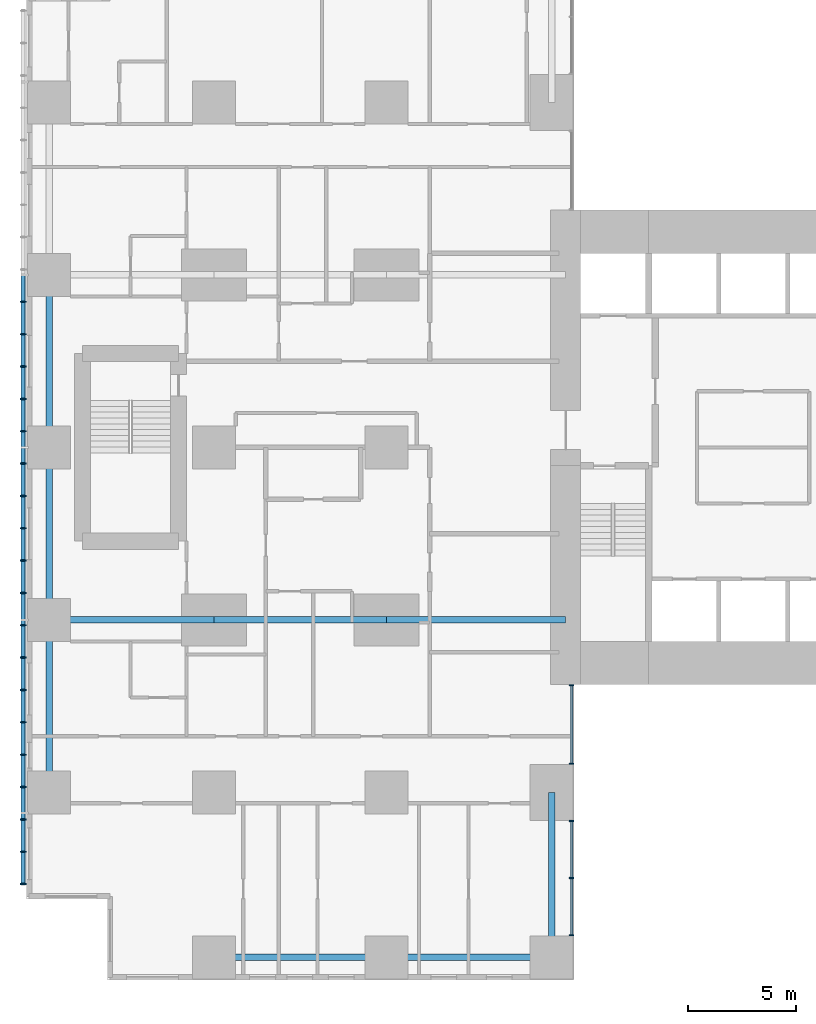
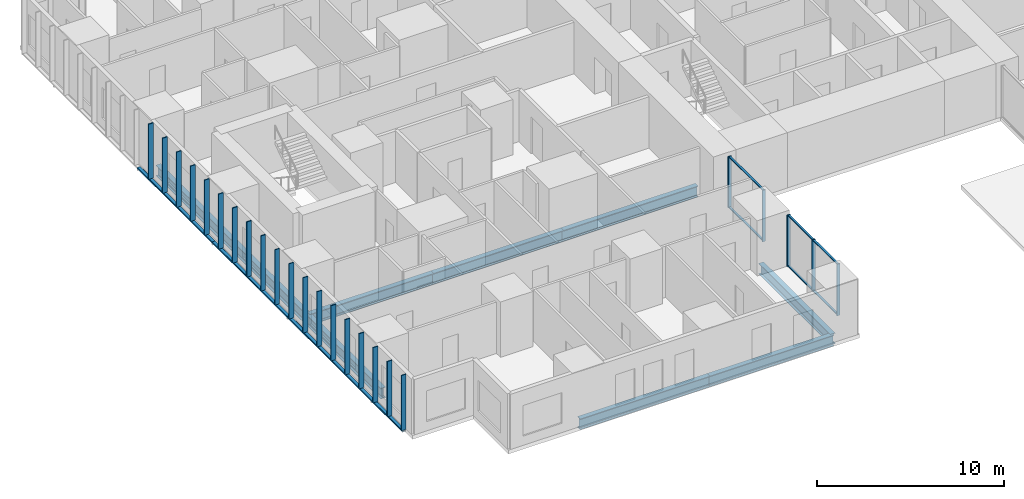
# One storey, part 2 of 22: 33 members, 9 beams, 2 elements without a shape of their own.
"""IFC4 building model written with IfcOpenShell, lengths in metres."""

import ifcopenshell
import ifcopenshell.guid

model = None  # the IFC model being written
_history = None  # IfcOwnerHistory: only IFC2X3 demands one
_inside = {}  # id of a spatial element -> (the spatial element, [elements in it])
_under = {}  # id of a project, library or spatial element -> (it, [spatial elements below it])
_declared = {}  # id of a project -> (the project, [libraries it declares])
_typed = {}  # id of a type object -> (the type object, [elements of that type])
_made_of = {}  # id of a material, layer set ... -> (it, [elements and type objects made of it])


def new_model(schema):
    """Start an empty IFC model of exactly this schema.

    Asked for "IFC4X3", IfcOpenShell would pick the latest addendum, in which some entities
    have other attributes; the version numbers below select the first issue.
    IFC2X3 requires an IfcOwnerHistory on every rooted entity: one is made here for all.
    """
    global model, _history
    if schema == "IFC4X3":
        model = ifcopenshell.file(schema_version=(4, 3, 0, 0))
    else:
        model = ifcopenshell.file(schema=schema)
    _inside.clear()
    _under.clear()
    _declared.clear()
    _typed.clear()
    _made_of.clear()
    _history = None
    if model.schema == "IFC2X3":
        org = make("IfcOrganization", Name="unknown")
        user = make(
            "IfcPersonAndOrganization",
            ThePerson=make("IfcPerson", FamilyName="unknown"),
            TheOrganization=org,
        )
        app = make(
            "IfcApplication",
            ApplicationDeveloper=org,
            Version="unknown",
            ApplicationFullName="unknown",
            ApplicationIdentifier="unknown",
        )
        _history = make(
            "IfcOwnerHistory",
            OwningUser=user,
            OwningApplication=app,
            ChangeAction="ADDED",
            CreationDate=0,
        )
    return model


def make(cls, **values):
    """One entity of the class cls with the attributes given. An attribute that is None is left unset."""
    return model.create_entity(
        cls, **{name: value for name, value in values.items() if value is not None}
    )


def rooted(cls, **values):
    """An entity with a GlobalId (a new one), such as an element, a storey or a relation."""
    return make(cls, GlobalId=ifcopenshell.guid.new(), OwnerHistory=_history, **values)


def si_unit(unit_type, name, prefix=None):
    """IfcSIUnit, for example si_unit("LENGTHUNIT", "METRE", prefix="MILLI")."""
    return make("IfcSIUnit", UnitType=unit_type, Prefix=prefix, Name=name)


def assignment(units):
    """IfcUnitAssignment: the units of a project."""
    return None if units is None else make("IfcUnitAssignment", Units=units)


def point(xyz):
    """IfcCartesianPoint."""
    return None if xyz is None else make("IfcCartesianPoint", Coordinates=xyz)


def direction(xyz):
    """IfcDirection."""
    return None if xyz is None else make("IfcDirection", DirectionRatios=xyz)


def frame(location, z_axis=None, x_axis=None):
    """IfcAxis2Placement3D, a coordinate frame: its origin and axes. An axis left out is left unset."""
    return make(
        "IfcAxis2Placement3D",
        Location=point(location),
        Axis=direction(z_axis),
        RefDirection=direction(x_axis),
    )


def frame_2d(location, x_axis=None):
    """IfcAxis2Placement2D, a coordinate frame in the plane: its origin and x axis."""
    return make(
        "IfcAxis2Placement2D", Location=point(location), RefDirection=direction(x_axis)
    )


def origin():
    """The frame at (0, 0, 0) with its axes left unset."""
    return frame((0.0, 0.0, 0.0))


def origin_2d():
    """The frame at (0, 0) in the plane with its x axis left unset."""
    return frame_2d((0.0, 0.0))


def place(relative_to, where):
    """IfcLocalPlacement: puts the frame where relative to a parent placement (None: the world)."""
    return make(
        "IfcLocalPlacement", PlacementRelTo=relative_to, RelativePlacement=where
    )


def context(
    kind, dimensions, precision=None, world=None, true_north=None, identifier=None
):
    """IfcGeometricRepresentationContext, for example the 3D "Model" context."""
    return make(
        "IfcGeometricRepresentationContext",
        ContextIdentifier=identifier,
        ContextType=kind,
        CoordinateSpaceDimension=dimensions,
        Precision=precision,
        WorldCoordinateSystem=world,
        TrueNorth=true_north,
    )


def subcontext(parent, identifier, kind, view, scale=None):
    """IfcGeometricRepresentationSubContext, for example "Body" below "Model"."""
    return make(
        "IfcGeometricRepresentationSubContext",
        ContextIdentifier=identifier,
        ContextType=kind,
        ParentContext=parent,
        TargetScale=scale,
        TargetView=view,
    )


def project(units=None, contexts=None):
    """IfcProject with its units and contexts."""
    return rooted(
        "IfcProject",
        Name="project",
        RepresentationContexts=contexts,
        UnitsInContext=assignment(units),
    )


def spatial(cls, under=None, at=None, **own):
    """A site, building, storey or space (cls), placed at a placement, below another one or the project."""
    s = rooted(cls, ObjectPlacement=at, **own)
    if under is not None:
        _under.setdefault(under.id(), (under, []))[1].append(s)
    return s


def profile(cls, at=None, kind="AREA", **sizes):
    """A parametric profile (cls). Its sizes go by their IFC names, for example OverallWidth=200.0."""
    return make(cls, ProfileType=kind, Position=at, **sizes)


def rectangle(**sizes):
    """IfcRectangleProfileDef."""
    return profile("IfcRectangleProfileDef", **sizes)


def hollow_rectangle(**sizes):
    """IfcRectangleHollowProfileDef."""
    return profile("IfcRectangleHollowProfileDef", **sizes)


def i_section(**sizes):
    """IfcIShapeProfileDef."""
    return profile("IfcIShapeProfileDef", **sizes)


def extrude(swept, where, along, depth):
    """IfcExtrudedAreaSolid: the profile swept, set in the frame where, extruded along a direction by depth."""
    return make(
        "IfcExtrudedAreaSolid",
        SweptArea=swept,
        Position=where,
        ExtrudedDirection=direction(along),
        Depth=depth,
    )


def shape(context_of_items, identifier, shape_type, items):
    """IfcShapeRepresentation: the items that make up one representation, for example the "Body"."""
    return make(
        "IfcShapeRepresentation",
        ContextOfItems=context_of_items,
        RepresentationIdentifier=identifier,
        RepresentationType=shape_type,
        Items=items,
    )


def material(Name=None, Category=None):
    """IfcMaterial."""
    return make("IfcMaterial", Name=Name, Category=Category)


def layer(
    of_material, thickness, ventilated=None, Name=None, Category=None, Priority=None
):
    """IfcMaterialLayer: one layer of a wall or slab, of a material (None: an air gap)."""
    return make(
        "IfcMaterialLayer",
        Material=of_material,
        LayerThickness=thickness,
        IsVentilated=ventilated,
        Name=Name,
        Category=Category,
        Priority=Priority,
    )


def layer_set(layers, Name=None):
    """IfcMaterialLayerSet."""
    return make("IfcMaterialLayerSet", MaterialLayers=layers, LayerSetName=Name)


def material_profile(
    of_material, cross_section, Name=None, Category=None, Priority=None
):
    """IfcMaterialProfile: a cross section and its material."""
    return make(
        "IfcMaterialProfile",
        Name=Name,
        Material=of_material,
        Profile=cross_section,
        Priority=Priority,
        Category=Category,
    )


def profile_set(profiles, Name=None, composite=None):
    """IfcMaterialProfileSet."""
    return make(
        "IfcMaterialProfileSet",
        Name=Name,
        MaterialProfiles=profiles,
        CompositeProfile=composite,
    )


def made_of(thing, what):
    """Note that an element or type object is made of a material, layer set ...; save() writes the relation."""
    if what is not None:
        _made_of.setdefault(what.id(), (what, []))[1].append(thing)
    return thing


def type_object(cls, material=None, **own):
    """A type object (cls), such as IfcWallType, which elements share."""
    return made_of(rooted(cls, **own), material)


def element(
    cls,
    number,
    at=None,
    inside=None,
    cuts=None,
    type_object=None,
    material=None,
    context=None,
    identifier="Body",
    shape_type=None,
    held_by="IfcProductDefinitionShape",
    body=None,
    shapes=None,
    **own,
):
    """One element of the class cls, such as IfcWall. Its Tag is "e" and its number.

    at: its placement. inside: the storey or other place that contains it. cuts: it is an
    opening in that element (IfcRelVoidsElement). A single representation is given by context,
    identifier, shape_type and body (its items); several are given by shapes. held_by: the class
    of the entity that holds the representations. save() writes the other relations.
    """
    e = rooted(cls, Tag="e%d" % number, ObjectPlacement=at, **own)
    if body is not None:
        shapes = [shape(context, identifier, shape_type, body)]
    if shapes is not None:
        e.Representation = make(held_by, Representations=shapes)
    if inside is not None:
        _inside.setdefault(inside.id(), (inside, []))[1].append(e)
    if cuts is not None:
        rooted(
            "IfcRelVoidsElement", RelatingBuildingElement=cuts, RelatedOpeningElement=e
        )
    if type_object is not None:
        _typed.setdefault(type_object.id(), (type_object, []))[1].append(e)
    return made_of(e, material)


def aggregate(whole, parts):
    """IfcRelAggregates: a whole, such as a stair, and the parts it consists of."""
    return rooted("IfcRelAggregates", RelatingObject=whole, RelatedObjects=parts)


def save(model, path):
    """Write the relations noted so far, then the file.

    IfcRelAggregates (storeys below a building ...), IfcRelContainedInSpatialStructure (elements
    in a storey), IfcRelDefinesByType, IfcRelAssociatesMaterial and IfcRelDeclares: one each for
    every whole, place, type object, material and project.
    """
    for whole, parts in _under.values():
        aggregate(whole, parts)
    for where, things in _inside.values():
        rooted(
            "IfcRelContainedInSpatialStructure",
            RelatedElements=things,
            RelatingStructure=where,
        )
    for kind, things in _typed.values():
        rooted("IfcRelDefinesByType", RelatedObjects=things, RelatingType=kind)
    for what, things in _made_of.values():
        rooted("IfcRelAssociatesMaterial", RelatedObjects=things, RelatingMaterial=what)
    for by, libraries in _declared.values():
        rooted("IfcRelDeclares", RelatingContext=by, RelatedDefinitions=libraries)
    model.write(path)


model = new_model("IFC4")

# Units and contexts
model_context = context("Model", 3, precision=1e-05, world=origin(), true_north=direction((0.0, 1.0)))
body_context = subcontext(model_context, "Body", "Model", "MODEL_VIEW")
ifc_project = project(units=[si_unit("LENGTHUNIT", "METRE"), si_unit("AREAUNIT", "SQUARE_METRE"), si_unit("VOLUMEUNIT", "CUBIC_METRE"), si_unit("PLANEANGLEUNIT", "RADIAN"), si_unit("MASSUNIT", "GRAM", prefix="KILO")], contexts=[model_context])

# Site, building, storey
site_placement = place(None, origin())
site = spatial("IfcSite", under=ifc_project, at=site_placement, CompositionType="ELEMENT")
building_placement = place(site_placement, origin())
building = spatial("IfcBuilding", under=site, at=building_placement, Name="Cleftline Residences", CompositionType="ELEMENT")
storey_placement = place(building_placement, frame((0.0, 0.0, 29.60009765625)))
storey = spatial("IfcBuildingStorey", under=building, at=storey_placement, Name="L06", CompositionType="ELEMENT", Elevation=29.60009765625)

# Members
ifc_material_1 = material(Name="Steel S355, hot-dip galvanised", Category="steel")
ifc_material_profile_1 = material_profile(ifc_material_1, hollow_rectangle(XDim=0.10009765625, YDim=0.199951171875, WallThickness=0.008056640625, InnerFilletRadius=0.008056640625, OuterFilletRadius=0.011962890625, at=origin_2d()))
ifc_profile_set_1 = profile_set([ifc_material_profile_1], Name="Steel S355, hot-dip galvanised")
member_type_1 = type_object("IfcMemberType", Name="BAGUETTE CARRIER RHS 200X100X8", PredefinedType="USERDEFINED", material=ifc_profile_set_1)
for number, where, z_axis, x_axis, name in (
    (1, (-0.85009765625, 32.0, -0.050048828125), (0.0, -1.0, 0.0), (0.0, 0.0, 1.0), "Baguette carrier"),
    (2, (-0.85009765625, 24.0, -0.050048828125), (0.0, -1.0, 0.0), (0.0, 0.0, 1.0), "Baguette carrier"),
):
    element("IfcMember", number, at=place(storey_placement, frame(where, z_axis=z_axis, x_axis=x_axis)), inside=storey, type_object=member_type_1, Name=name, ObjectType="BAGUETTE CARRIER", PredefinedType="USERDEFINED", context=body_context, shape_type="SweptSolid", body=[
        extrude(hollow_rectangle(XDim=0.10009765625, YDim=0.199951171875, WallThickness=0.008056640625, InnerFilletRadius=0.008056640625, OuterFilletRadius=0.011962890625, at=origin_2d()), origin(), (0.0, 0.0, 1.0), 8.0),
    ])
member_1_placement = place(storey_placement, frame((-0.85009765625, 16.0, -0.050048828125), z_axis=(0.0, -1.0, 0.0), x_axis=(0.0, 0.0, 1.0)))
element("IfcMember", 3, at=member_1_placement, inside=storey, type_object=member_type_1, Name="Baguette carrier", ObjectType="BAGUETTE CARRIER", PredefinedType="USERDEFINED", context=body_context, shape_type="SweptSolid", body=[
    extrude(hollow_rectangle(XDim=0.10009765625, YDim=0.199951171875, WallThickness=0.008056640625, InnerFilletRadius=0.008056640625, OuterFilletRadius=0.011962890625, at=origin_2d()), origin(), (0.0, 0.0, 1.0), 12.300048828125),
])

# Beams
ifc_material_2 = material(Name="Steel S355", Category="steel")
ifc_material_profile_2 = material_profile(ifc_material_2, i_section(OverallWidth=0.300048828125, OverallDepth=0.699951171875, WebThickness=0.01708984375, FlangeThickness=0.031982421875, FilletRadius=0.027099609375, at=origin_2d()))
ifc_profile_set_2 = profile_set([ifc_material_profile_2], Name="Steel S355")
beam_type_1 = type_object("IfcBeamType", Name="BEAM HEB 700", PredefinedType="BEAM", material=ifc_profile_set_2)
for number, where, z_axis, x_axis, name in (
    (4, (0.35009765625, 8.0, -0.60009765625), (0.0, 1.0, 0.0), (-1.0, 0.0, 0.0), "Edge beam"),
    (5, (0.35009765625, 16.0, -0.60009765625), (0.0, 1.0, 0.0), (-1.0, 0.0, 0.0), "Edge beam"),
    (6, (0.35009765625, 24.0, -0.60009765625), (0.0, 1.0, 0.0), (-1.0, 0.0, 0.0), "Edge beam"),
    (7, (8.0, 0.35009765625, -0.60009765625), (1.0, 0.0, 0.0), (0.0, 1.0, 0.0), "Edge beam"),
):
    element("IfcBeam", number, at=place(storey_placement, frame(where, z_axis=z_axis, x_axis=x_axis)), inside=storey, type_object=beam_type_1, Name=name, PredefinedType="BEAM", context=body_context, shape_type="SweptSolid", body=[
        extrude(i_section(OverallWidth=0.300048828125, OverallDepth=0.699951171875, WebThickness=0.01708984375, FlangeThickness=0.031982421875, FilletRadius=0.027099609375, at=origin_2d()), origin(), (0.0, 0.0, 1.0), 8.0),
    ])
for number, where, z_axis, x_axis, name in (
    (8, (16.0, 0.35009765625, -0.60009765625), (1.0, 0.0, 0.0), (0.0, 1.0, 0.0), "Edge beam"),
    (9, (23.64990234375, 0.35009765625, -0.60009765625), (0.0, 1.0, 0.0), (-1.0, 0.0, 0.0), "Edge beam"),
):
    element("IfcBeam", number, at=place(storey_placement, frame(where, z_axis=z_axis, x_axis=x_axis)), inside=storey, type_object=beam_type_1, Name=name, PredefinedType="BEAM", context=body_context, shape_type="SweptSolid", body=[
        extrude(i_section(OverallWidth=0.300048828125, OverallDepth=0.699951171875, WebThickness=0.01708984375, FlangeThickness=0.031982421875, FilletRadius=0.027099609375, at=origin_2d()), origin(), (0.0, 0.0, 1.0), 7.64990234375),
    ])
ifc_material_3 = material(Name="Steel S355", Category="steel")
ifc_material_profile_3 = material_profile(ifc_material_3, i_section(OverallWidth=0.303955078125, OverallDepth=0.716064453125, WebThickness=0.02099609375, FlangeThickness=0.0400390625, FilletRadius=0.027099609375, at=origin_2d()))
ifc_profile_set_3 = profile_set([ifc_material_profile_3], Name="Steel S355")
beam_type_2 = type_object("IfcBeamType", Name="BEAM HEM 700", PredefinedType="BEAM", material=ifc_profile_set_3)
beam_1_placement = place(storey_placement, frame((0.35009765625, 16.0, -0.608154296875), z_axis=(1.0, 0.0, 0.0), x_axis=(0.0, 1.0, 0.0)))
element("IfcBeam", 10, at=beam_1_placement, inside=storey, type_object=beam_type_2, Name="Band beam", PredefinedType="BEAM", context=body_context, shape_type="SweptSolid", body=[
    extrude(i_section(OverallWidth=0.303955078125, OverallDepth=0.716064453125, WebThickness=0.02099609375, FlangeThickness=0.0400390625, FilletRadius=0.027099609375, at=origin_2d()), origin(), (0.0, 0.0, 1.0), 7.64990234375),
])
beam_2_placement = place(storey_placement, frame((8.0, 16.0, -0.608154296875), z_axis=(1.0, 0.0, 0.0), x_axis=(0.0, 1.0, 0.0)))
element("IfcBeam", 11, at=beam_2_placement, inside=storey, type_object=beam_type_2, Name="Band beam", PredefinedType="BEAM", context=body_context, shape_type="SweptSolid", body=[
    extrude(i_section(OverallWidth=0.303955078125, OverallDepth=0.716064453125, WebThickness=0.02099609375, FlangeThickness=0.0400390625, FilletRadius=0.027099609375, at=origin_2d()), origin(), (0.0, 0.0, 1.0), 8.0),
])
beam_3_placement = place(storey_placement, frame((16.0, 16.0, -0.608154296875), z_axis=(1.0, 0.0, 0.0), x_axis=(0.0, 1.0, 0.0)))
element("IfcBeam", 12, at=beam_3_placement, inside=storey, type_object=beam_type_2, Name="Band beam", PredefinedType="BEAM", context=body_context, shape_type="SweptSolid", body=[
    extrude(i_section(OverallWidth=0.303955078125, OverallDepth=0.716064453125, WebThickness=0.02099609375, FlangeThickness=0.0400390625, FilletRadius=0.027099609375, at=origin_2d()), origin(), (0.0, 0.0, 1.0), 8.300048828125),
])

# Curtain wall, members
ifc_material_4 = material(Name="Aluminium framed curtain wall", Category="aluminium")
ifc_layer = layer(ifc_material_4, 0.199951171875)
ifc_layer_set = layer_set([ifc_layer], Name="CW1 CLEFT GLAZING")
curtain_wall_type = type_object("IfcCurtainWallType", Name="CW1 CLEFT GLAZING", PredefinedType="NOTDEFINED", material=ifc_layer_set)
curtain_wall_1_placement = place(storey_placement, origin())
curtain_wall_1 = element("IfcCurtainWall", 13, at=curtain_wall_1_placement, inside=storey, type_object=curtain_wall_type, Name="Curtain wall CW1", PredefinedType="NOTDEFINED")
ifc_material_5 = material(Name="Aluminium mullion", Category="aluminium")
ifc_material_profile_4 = material_profile(ifc_material_5, rectangle(XDim=0.199951171875, YDim=0.06005859375, at=origin_2d()))
ifc_profile_set_4 = profile_set([ifc_material_profile_4], Name="Aluminium mullion")
member_type_2 = type_object("IfcMemberType", Name="CW1 MULLION", PredefinedType="MULLION", material=ifc_profile_set_4)
member_2_placement = place(storey_placement, frame((24.574951171875, 1.3798828125, 0.0), z_axis=(0.0, 0.0, 1.0), x_axis=(-1.0, 0.0, 0.0)))
member_2 = element("IfcMember", 14, at=member_2_placement, type_object=member_type_2, Name="CW1 mullion 1", PredefinedType="MULLION", context=body_context, shape_type="SweptSolid", body=[
    extrude(rectangle(XDim=0.199951171875, YDim=0.06005859375, at=origin_2d()), origin(), (0.0, 0.0, 1.0), 3.349853515625),
])
member_3_placement = place(storey_placement, frame((24.574951171875, 4.02490234375, 0.0), z_axis=(0.0, 0.0, 1.0), x_axis=(-1.0, 0.0, 0.0)))
member_3 = element("IfcMember", 15, at=member_3_placement, type_object=member_type_2, Name="CW1 mullion 2", PredefinedType="MULLION", context=body_context, shape_type="SweptSolid", body=[
    extrude(rectangle(XDim=0.199951171875, YDim=0.06005859375, at=origin_2d()), origin(), (0.0, 0.0, 1.0), 3.349853515625),
])
member_4_placement = place(storey_placement, frame((24.574951171875, 6.669921875, 0.0), z_axis=(0.0, 0.0, 1.0), x_axis=(-1.0, 0.0, 0.0)))
member_4 = element("IfcMember", 16, at=member_4_placement, type_object=member_type_2, Name="CW1 mullion 3", PredefinedType="MULLION", context=body_context, shape_type="SweptSolid", body=[
    extrude(rectangle(XDim=0.199951171875, YDim=0.06005859375, at=origin_2d()), origin(), (0.0, 0.0, 1.0), 3.349853515625),
])

curtain_wall_2_placement = place(storey_placement, origin())
curtain_wall_2 = element("IfcCurtainWall", 17, at=curtain_wall_2_placement, inside=storey, type_object=curtain_wall_type, Name="Curtain wall CW1", PredefinedType="NOTDEFINED")
member_5_placement = place(storey_placement, frame((24.574951171875, 9.330078125, 0.0), z_axis=(0.0, 0.0, 1.0), x_axis=(-1.0, 0.0, 0.0)))
member_5 = element("IfcMember", 18, at=member_5_placement, type_object=member_type_2, Name="CW1 mullion 1", PredefinedType="MULLION", context=body_context, shape_type="SweptSolid", body=[
    extrude(rectangle(XDim=0.199951171875, YDim=0.06005859375, at=origin_2d()), origin(), (0.0, 0.0, 1.0), 3.349853515625),
])
member_6_placement = place(storey_placement, frame((24.574951171875, 12.969970703125, 0.0), z_axis=(0.0, 0.0, 1.0), x_axis=(-1.0, 0.0, 0.0)))
member_6 = element("IfcMember", 19, at=member_6_placement, type_object=member_type_2, Name="CW1 mullion 2", PredefinedType="MULLION", context=body_context, shape_type="SweptSolid", body=[
    extrude(rectangle(XDim=0.199951171875, YDim=0.06005859375, at=origin_2d()), origin(), (0.0, 0.0, 1.0), 3.349853515625),
])

# Member
ifc_material_6 = material(Name="Aluminium transom", Category="aluminium")
ifc_material_profile_5 = material_profile(ifc_material_6, rectangle(XDim=0.1201171875, YDim=0.06005859375, at=origin_2d()))
ifc_profile_set_5 = profile_set([ifc_material_profile_5], Name="Aluminium transom")
member_type_3 = type_object("IfcMemberType", Name="CW1 TRANSOM", PredefinedType="USERDEFINED", material=ifc_profile_set_5)
member_7_placement = place(storey_placement, frame((24.574951171875, 1.409912109375, 0.02978515625), z_axis=(0.0, 1.0, 0.0), x_axis=(-1.0, 0.0, 0.0)))
member_7 = element("IfcMember", 20, at=member_7_placement, type_object=member_type_3, Name="CW1 transom 1.1", ObjectType="TRANSOM", PredefinedType="USERDEFINED", context=body_context, shape_type="SweptSolid", body=[
    extrude(rectangle(XDim=0.1201171875, YDim=0.06005859375, at=origin_2d()), origin(), (0.0, 0.0, 1.0), 2.585205078125),
])

member_8_placement = place(storey_placement, frame((24.574951171875, 1.409912109375, 3.31982421875), z_axis=(0.0, 1.0, 0.0), x_axis=(-1.0, 0.0, 0.0)))
member_8 = element("IfcMember", 21, at=member_8_placement, type_object=member_type_3, Name="CW1 transom 1.2", ObjectType="TRANSOM", PredefinedType="USERDEFINED", context=body_context, shape_type="SweptSolid", body=[
    extrude(rectangle(XDim=0.1201171875, YDim=0.06005859375, at=origin_2d()), origin(), (0.0, 0.0, 1.0), 2.585205078125),
])

member_9_placement = place(storey_placement, frame((24.574951171875, 4.054931640625, 0.02978515625), z_axis=(0.0, 1.0, 0.0), x_axis=(-1.0, 0.0, 0.0)))
member_9 = element("IfcMember", 22, at=member_9_placement, type_object=member_type_3, Name="CW1 transom 2.1", ObjectType="TRANSOM", PredefinedType="USERDEFINED", context=body_context, shape_type="SweptSolid", body=[
    extrude(rectangle(XDim=0.1201171875, YDim=0.06005859375, at=origin_2d()), origin(), (0.0, 0.0, 1.0), 2.5849609375),
])

member_10_placement = place(storey_placement, frame((24.574951171875, 4.054931640625, 3.31982421875), z_axis=(0.0, 1.0, 0.0), x_axis=(-1.0, 0.0, 0.0)))
member_10 = element("IfcMember", 23, at=member_10_placement, type_object=member_type_3, Name="CW1 transom 2.2", ObjectType="TRANSOM", PredefinedType="USERDEFINED", context=body_context, shape_type="SweptSolid", body=[
    extrude(rectangle(XDim=0.1201171875, YDim=0.06005859375, at=origin_2d()), origin(), (0.0, 0.0, 1.0), 2.5849609375),
])

aggregate(curtain_wall_1, [member_2, member_3, member_4, member_7, member_8, member_9, member_10])

member_11_placement = place(storey_placement, frame((24.574951171875, 9.360107421875, 0.02978515625), z_axis=(0.0, 1.0, 0.0), x_axis=(-1.0, 0.0, 0.0)))
member_11 = element("IfcMember", 24, at=member_11_placement, type_object=member_type_3, Name="CW1 transom 1.1", ObjectType="TRANSOM", PredefinedType="USERDEFINED", context=body_context, shape_type="SweptSolid", body=[
    extrude(rectangle(XDim=0.1201171875, YDim=0.06005859375, at=origin_2d()), origin(), (0.0, 0.0, 1.0), 3.579833984375),
])

member_12_placement = place(storey_placement, frame((24.574951171875, 9.360107421875, 3.31982421875), z_axis=(0.0, 1.0, 0.0), x_axis=(-1.0, 0.0, 0.0)))
member_12 = element("IfcMember", 25, at=member_12_placement, type_object=member_type_3, Name="CW1 transom 1.2", ObjectType="TRANSOM", PredefinedType="USERDEFINED", context=body_context, shape_type="SweptSolid", body=[
    extrude(rectangle(XDim=0.1201171875, YDim=0.06005859375, at=origin_2d()), origin(), (0.0, 0.0, 1.0), 3.579833984375),
])

aggregate(curtain_wall_2, [member_5, member_6, member_11, member_12])

# Members
ifc_material_7 = material(Name="Extruded terracotta", Category="masonry")
ifc_material_profile_6 = material_profile(ifc_material_7, rectangle(XDim=0.06005859375, YDim=0.300048828125, at=origin_2d()))
ifc_profile_set_6 = profile_set([ifc_material_profile_6], Name="Extruded terracotta")
member_type_4 = type_object("IfcMemberType", Name="TERRACOTTA BAGUETTE 60X300", PredefinedType="USERDEFINED", material=ifc_profile_set_6)
for number, where, z_axis, x_axis, name in (
    (26, (-0.85009765625, 30.75, 0.0), (0.0, 0.0, 1.0), (0.0, 1.0, 0.0), "Terracotta baguette"),
    (27, (-0.85009765625, 29.25, 0.0), (0.0, 0.0, 1.0), (0.0, 1.0, 0.0), "Terracotta baguette"),
    (28, (-0.85009765625, 27.75, 0.0), (0.0, 0.0, 1.0), (0.0, 1.0, 0.0), "Terracotta baguette"),
    (29, (-0.85009765625, 26.25, 0.0), (0.0, 0.0, 1.0), (0.0, 1.0, 0.0), "Terracotta baguette"),
    (30, (-0.85009765625, 24.75, 0.0), (0.0, 0.0, 1.0), (0.0, 1.0, 0.0), "Terracotta baguette"),
    (31, (-0.85009765625, 23.25, 0.0), (0.0, 0.0, 1.0), (0.0, 1.0, 0.0), "Terracotta baguette"),
    (32, (-0.85009765625, 21.75, 0.0), (0.0, 0.0, 1.0), (0.0, 1.0, 0.0), "Terracotta baguette"),
    (33, (-0.85009765625, 20.25, 0.0), (0.0, 0.0, 1.0), (0.0, 1.0, 0.0), "Terracotta baguette"),
    (34, (-0.85009765625, 18.75, 0.0), (0.0, 0.0, 1.0), (0.0, 1.0, 0.0), "Terracotta baguette"),
    (35, (-0.85009765625, 17.25, 0.0), (0.0, 0.0, 1.0), (0.0, 1.0, 0.0), "Terracotta baguette"),
    (36, (-0.85009765625, 15.75, 0.0), (0.0, 0.0, 1.0), (0.0, 1.0, 0.0), "Terracotta baguette"),
    (37, (-0.85009765625, 14.25, 0.0), (0.0, 0.0, 1.0), (0.0, 1.0, 0.0), "Terracotta baguette"),
    (38, (-0.85009765625, 12.75, 0.0), (0.0, 0.0, 1.0), (0.0, 1.0, 0.0), "Terracotta baguette"),
    (39, (-0.85009765625, 11.25, 0.0), (0.0, 0.0, 1.0), (0.0, 1.0, 0.0), "Terracotta baguette"),
    (40, (-0.85009765625, 9.75, 0.0), (0.0, 0.0, 1.0), (0.0, 1.0, 0.0), "Terracotta baguette"),
    (41, (-0.85009765625, 8.25, 0.0), (0.0, 0.0, 1.0), (0.0, 1.0, 0.0), "Terracotta baguette"),
    (42, (-0.85009765625, 6.75, 0.0), (0.0, 0.0, 1.0), (0.0, 1.0, 0.0), "Terracotta baguette"),
    (43, (-0.85009765625, 5.25, 0.0), (0.0, 0.0, 1.0), (0.0, 1.0, 0.0), "Terracotta baguette"),
    (44, (-0.85009765625, 3.75, 0.0), (0.0, 0.0, 1.0), (0.0, 1.0, 0.0), "Terracotta baguette"),
):
    element("IfcMember", number, at=place(storey_placement, frame(where, z_axis=z_axis, x_axis=x_axis)), inside=storey, type_object=member_type_4, Name=name, ObjectType="BAGUETTE", PredefinedType="USERDEFINED", context=body_context, shape_type="SweptSolid", body=[
        extrude(rectangle(XDim=0.06005859375, YDim=0.300048828125, at=origin_2d()), origin(), (0.0, 0.0, 1.0), 3.599853515625),
    ])

save(model, "model.ifc")
